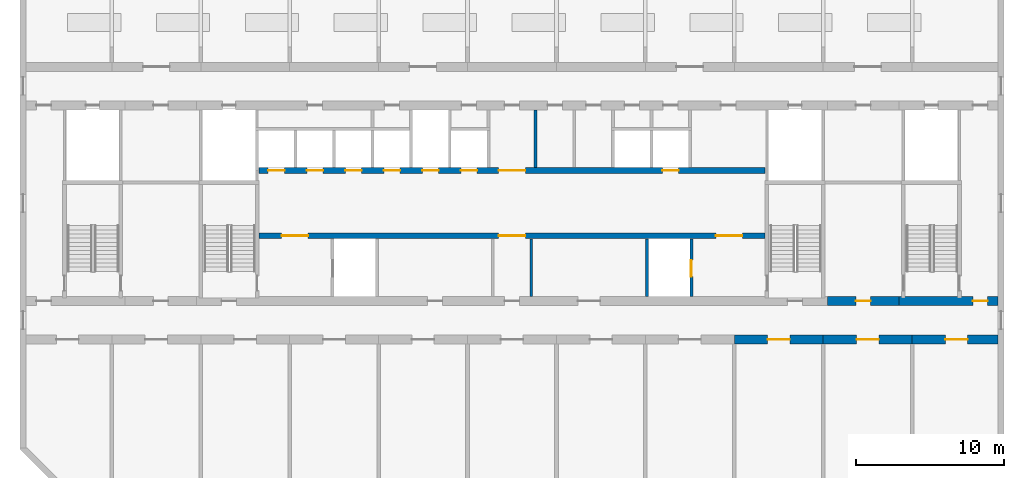
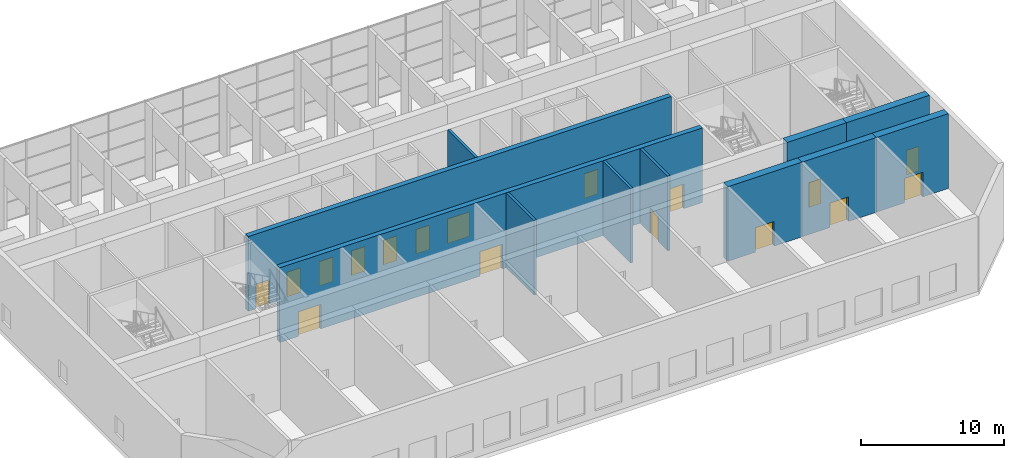
# One storey, part 8 of 13: 17 doors, 11 walls, 17 openings.
"""IFC4 building model written with IfcOpenShell, lengths in metres."""

from ifc_helpers import new_model, si_unit, direction, frame, frame_2d, origin, place, context, subcontext, project, spatial, rectangle, extrude, material, layer, layer_set, type_object, element, fill, save


model = new_model("IFC4")

# Units and contexts
model_context = context("Model", 3, precision=1e-05, world=origin(), true_north=direction((0.0, 1.0)))
body_context = subcontext(model_context, "Body", "Model", "MODEL_VIEW")
ifc_project = project(units=[si_unit("LENGTHUNIT", "METRE"), si_unit("AREAUNIT", "SQUARE_METRE"), si_unit("VOLUMEUNIT", "CUBIC_METRE"), si_unit("PLANEANGLEUNIT", "RADIAN"), si_unit("MASSUNIT", "GRAM", prefix="KILO")], contexts=[model_context])

# Site, building, storey
site_placement = place(None, origin())
site = spatial("IfcSite", under=ifc_project, at=site_placement, CompositionType="ELEMENT")
building_placement = place(site_placement, origin())
building = spatial("IfcBuilding", under=site, at=building_placement, Name="Poui Terraces", CompositionType="ELEMENT")
storey_placement = place(building_placement, frame((0.0, 0.0, 214.800048828125)))
storey = spatial("IfcBuildingStorey", under=building, at=storey_placement, Name="L60", CompositionType="ELEMENT", Elevation=214.800048828125)

# Wall, opening, door
ifc_material_1 = material(Name="Concrete 50 MPa", Category="concrete")
ifc_layer_1 = layer(ifc_material_1, 0.60009765625)
ifc_layer_set_1 = layer_set([ifc_layer_1], Name="Concrete 50 MPa")
wall_type_1 = type_object("IfcWallType", Name="BELT WALL 600 50MPa", PredefinedType="SHEAR", material=ifc_layer_set_1)
wall_1_placement = place(storey_placement, frame((66.0, 12.0, 0.0), z_axis=(0.0, 0.0, 1.0), x_axis=(1.0, 0.0, 0.0)))
wall_1 = element("IfcWall", 1, at=wall_1_placement, inside=storey, type_object=wall_type_1, Name="BELT WALL LINE B BAY 9", PredefinedType="SHEAR", context=body_context, shape_type="SweptSolid", body=[
    extrude(rectangle(XDim=6.0, YDim=0.60009765625, at=frame_2d((3.0, 0.0))), origin(), (0.0, 0.0, 1.0), 6.3798828125),
])
opening_1_placement = place(wall_1_placement, frame((2.25, 0.0, 0.0)))
opening_1 = element("IfcOpeningElement", 2, at=opening_1_placement, cuts=wall_1, Name="Opening FDP", PredefinedType="OPENING", context=body_context, shape_type="SweptSolid", body=[
    extrude(rectangle(XDim=1.5, YDim=2.10009765625, at=frame_2d((0.75, 1.050048828125))), frame((0.0, 0.31005859375, 0.0), z_axis=(0.0, -1.0, 0.0), x_axis=(1.0, 0.0, 0.0)), (0.0, 0.0, 1.0), 0.6201171875),
])
ifc_material_2 = material(Name="Steel fire door", Category="steel")
door_type_1 = type_object("IfcDoorType", Name="PLANT ROOM DOOR PAIR 1500 X 2100", OperationType="DOUBLE_DOOR_SINGLE_SWING", PredefinedType="DOOR", material=ifc_material_2)
door_1_placement = place(opening_1_placement, origin())
door_1 = element("IfcDoor", 3, at=door_1_placement, inside=storey, type_object=door_type_1, Name="PLANT ROOM DOOR PAIR 036", OperationType="DOUBLE_DOOR_SINGLE_SWING", OverallHeight=2.10009765625, OverallWidth=1.5, PredefinedType="DOOR", context=body_context, shape_type="SweptSolid", body=[
    extrude(rectangle(XDim=1.5, YDim=2.10009765625, at=frame_2d((0.75, 1.050048828125))), frame((0.0, 0.02490234375, 0.0), z_axis=(0.0, -1.0, 0.0), x_axis=(1.0, 0.0, 0.0)), (0.0, 0.0, 1.0), 0.050048828125),
])
fill(opening_1, door_1)

wall_2_placement = place(storey_placement, frame((72.0, 12.0, 0.0), z_axis=(0.0, 0.0, 1.0), x_axis=(1.0, 0.0, 0.0)))
wall_2 = element("IfcWall", 4, at=wall_2_placement, inside=storey, type_object=wall_type_1, Name="BELT WALL LINE B BAY 10", PredefinedType="SHEAR", context=body_context, shape_type="SweptSolid", body=[
    extrude(rectangle(XDim=6.0, YDim=0.60009765625, at=frame_2d((3.0, 0.0))), origin(), (0.0, 0.0, 1.0), 6.3798828125),
])
opening_2_placement = place(wall_2_placement, frame((2.25, 0.0, 0.0)))
opening_2 = element("IfcOpeningElement", 5, at=opening_2_placement, cuts=wall_2, Name="Opening FDP", PredefinedType="OPENING", context=body_context, shape_type="SweptSolid", body=[
    extrude(rectangle(XDim=1.5, YDim=2.10009765625, at=frame_2d((0.75, 1.050048828125))), frame((0.0, 0.31005859375, 0.0), z_axis=(0.0, -1.0, 0.0), x_axis=(1.0, 0.0, 0.0)), (0.0, 0.0, 1.0), 0.6201171875),
])
door_2_placement = place(opening_2_placement, origin())
door_2 = element("IfcDoor", 6, at=door_2_placement, inside=storey, type_object=door_type_1, Name="PLANT ROOM DOOR PAIR 039", OperationType="DOUBLE_DOOR_SINGLE_SWING", OverallHeight=2.10009765625, OverallWidth=1.5, PredefinedType="DOOR", context=body_context, shape_type="SweptSolid", body=[
    extrude(rectangle(XDim=1.5, YDim=2.10009765625, at=frame_2d((0.75, 1.050048828125))), frame((0.0, 0.02490234375, 0.0), z_axis=(0.0, -1.0, 0.0), x_axis=(1.0, 0.0, 0.0)), (0.0, 0.0, 1.0), 0.050048828125),
])
fill(opening_2, door_2)

wall_3_placement = place(storey_placement, frame((78.0, 12.0, 0.0), z_axis=(0.0, 0.0, 1.0), x_axis=(1.0, 0.0, 0.0)))
wall_3 = element("IfcWall", 7, at=wall_3_placement, inside=storey, type_object=wall_type_1, Name="BELT WALL LINE B BAY 11", PredefinedType="SHEAR", context=body_context, shape_type="SweptSolid", body=[
    extrude(rectangle(XDim=5.800048828125, YDim=0.60009765625, at=frame_2d((2.89990234375, 0.0))), origin(), (0.0, 0.0, 1.0), 6.3798828125),
])
opening_3_placement = place(wall_3_placement, frame((2.25, 0.0, 0.0)))
opening_3 = element("IfcOpeningElement", 8, at=opening_3_placement, cuts=wall_3, Name="Opening FDP", PredefinedType="OPENING", context=body_context, shape_type="SweptSolid", body=[
    extrude(rectangle(XDim=1.5, YDim=2.10009765625, at=frame_2d((0.75, 1.050048828125))), frame((0.0, 0.31005859375, 0.0), z_axis=(0.0, -1.0, 0.0), x_axis=(1.0, 0.0, 0.0)), (0.0, 0.0, 1.0), 0.6201171875),
])
door_3_placement = place(opening_3_placement, origin())
door_3 = element("IfcDoor", 9, at=door_3_placement, inside=storey, type_object=door_type_1, Name="PLANT ROOM DOOR PAIR 040", OperationType="DOUBLE_DOOR_SINGLE_SWING", OverallHeight=2.10009765625, OverallWidth=1.5, PredefinedType="DOOR", context=body_context, shape_type="SweptSolid", body=[
    extrude(rectangle(XDim=1.5, YDim=2.10009765625, at=frame_2d((0.75, 1.050048828125))), frame((0.0, 0.02490234375, 0.0), z_axis=(0.0, -1.0, 0.0), x_axis=(1.0, 0.0, 0.0)), (0.0, 0.0, 1.0), 0.050048828125),
])
fill(opening_3, door_3)

# Wall, openings, doors
ifc_layer_2 = layer(ifc_material_1, 0.39990234375)
ifc_layer_set_2 = layer_set([ifc_layer_2], Name="Concrete 50 MPa")
wall_type_2 = type_object("IfcWallType", Name="CORE WALL 400 50 MPA", PredefinedType="SOLIDWALL", material=ifc_layer_set_2)
wall_4_placement = place(storey_placement, frame((33.925048828125, 19.0, 0.0), z_axis=(0.0, 0.0, 1.0), x_axis=(1.0, 0.0, 0.0)))
wall_4 = element("IfcWall", 10, at=wall_4_placement, inside=storey, type_object=wall_type_2, Name="CORE WALL", PredefinedType="SOLIDWALL", context=body_context, shape_type="SweptSolid", body=[
    extrude(rectangle(XDim=34.14990234375, YDim=0.39990234375, at=frame_2d((17.074951171875, 0.0))), origin(), (0.0, 0.0, 1.0), 6.3798828125),
])
opening_4_placement = place(wall_4_placement, frame((16.175048828125, 0.0, 0.0)))
opening_4 = element("IfcOpeningElement", 11, at=opening_4_placement, cuts=wall_4, Name="Opening FDD60", PredefinedType="OPENING", context=body_context, shape_type="SweptSolid", body=[
    extrude(rectangle(XDim=1.800048828125, YDim=2.10009765625, at=frame_2d((0.89990234375, 1.050048828125))), frame((0.0, 0.2099609375, 0.0), z_axis=(0.0, -1.0, 0.0), x_axis=(1.0, 0.0, 0.0)), (0.0, 0.0, 1.0), 0.419921875),
])
opening_5_placement = place(wall_4_placement, frame((1.52490234375, 0.0, 0.0)))
opening_5 = element("IfcOpeningElement", 12, at=opening_5_placement, cuts=wall_4, Name="Opening FDD60", PredefinedType="OPENING", context=body_context, shape_type="SweptSolid", body=[
    extrude(rectangle(XDim=1.800048828125, YDim=2.10009765625, at=frame_2d((0.89990234375, 1.050048828125))), frame((0.0, 0.2099609375, 0.0), z_axis=(0.0, -1.0, 0.0), x_axis=(1.0, 0.0, 0.0)), (0.0, 0.0, 1.0), 0.419921875),
])
opening_6_placement = place(wall_4_placement, frame((30.824951171875, 0.0, 0.0)))
opening_6 = element("IfcOpeningElement", 13, at=opening_6_placement, cuts=wall_4, Name="Opening FDD60", PredefinedType="OPENING", context=body_context, shape_type="SweptSolid", body=[
    extrude(rectangle(XDim=1.800048828125, YDim=2.10009765625, at=frame_2d((0.89990234375, 1.050048828125))), frame((0.0, 0.2099609375, 0.0), z_axis=(0.0, -1.0, 0.0), x_axis=(1.0, 0.0, 0.0)), (0.0, 0.0, 1.0), 0.419921875),
])
door_type_2 = type_object("IfcDoorType", Name="DOUBLE LOBBY FIRE DOOR 1800 X 2100", OperationType="DOUBLE_DOOR_SINGLE_SWING", PredefinedType="DOOR", material=ifc_material_2)
door_4_placement = place(opening_4_placement, frame((1.800048828125, 0.0, 0.0), z_axis=(0.0, 0.0, 1.0), x_axis=(-1.0, 0.0, 0.0)))
door_4 = element("IfcDoor", 14, at=door_4_placement, inside=storey, type_object=door_type_2, Name="DOUBLE LOBBY FIRE DOOR 047", OperationType="DOUBLE_DOOR_SINGLE_SWING", OverallHeight=2.10009765625, OverallWidth=1.800048828125, PredefinedType="DOOR", context=body_context, shape_type="SweptSolid", body=[
    extrude(rectangle(XDim=1.800048828125, YDim=2.10009765625, at=frame_2d((0.89990234375, 1.050048828125))), frame((0.0, 0.02490234375, 0.0), z_axis=(0.0, -1.0, 0.0), x_axis=(1.0, 0.0, 0.0)), (0.0, 0.0, 1.0), 0.050048828125),
])
fill(opening_4, door_4)
door_5_placement = place(opening_5_placement, origin())
door_5 = element("IfcDoor", 15, at=door_5_placement, inside=storey, type_object=door_type_2, Name="DOUBLE LOBBY FIRE DOOR 049", OperationType="DOUBLE_DOOR_SINGLE_SWING", OverallHeight=2.10009765625, OverallWidth=1.800048828125, PredefinedType="DOOR", context=body_context, shape_type="SweptSolid", body=[
    extrude(rectangle(XDim=1.800048828125, YDim=2.10009765625, at=frame_2d((0.89990234375, 1.050048828125))), frame((0.0, 0.02490234375, 0.0), z_axis=(0.0, -1.0, 0.0), x_axis=(1.0, 0.0, 0.0)), (0.0, 0.0, 1.0), 0.050048828125),
])
fill(opening_5, door_5)
door_6_placement = place(opening_6_placement, origin())
door_6 = element("IfcDoor", 16, at=door_6_placement, inside=storey, type_object=door_type_2, Name="DOUBLE LOBBY FIRE DOOR 056", OperationType="DOUBLE_DOOR_SINGLE_SWING", OverallHeight=2.10009765625, OverallWidth=1.800048828125, PredefinedType="DOOR", context=body_context, shape_type="SweptSolid", body=[
    extrude(rectangle(XDim=1.800048828125, YDim=2.10009765625, at=frame_2d((0.89990234375, 1.050048828125))), frame((0.0, 0.02490234375, 0.0), z_axis=(0.0, -1.0, 0.0), x_axis=(1.0, 0.0, 0.0)), (0.0, 0.0, 1.0), 0.050048828125),
])
fill(opening_6, door_6)

wall_5_placement = place(storey_placement, frame((33.925048828125, 23.39990234375, 0.0), z_axis=(0.0, 0.0, 1.0), x_axis=(1.0, 0.0, 0.0)))
wall_5 = element("IfcWall", 17, at=wall_5_placement, inside=storey, type_object=wall_type_2, Name="CORE WALL", PredefinedType="SOLIDWALL", context=body_context, shape_type="SweptSolid", body=[
    extrude(rectangle(XDim=34.14990234375, YDim=0.39990234375, at=frame_2d((17.074951171875, 0.0))), origin(), (0.0, 0.0, 1.0), 6.3798828125),
])
opening_7_placement = place(wall_5_placement, frame((16.175048828125, 0.0, 0.0)))
opening_7 = element("IfcOpeningElement", 18, at=opening_7_placement, cuts=wall_5, Name="Opening FDD60", PredefinedType="OPENING", context=body_context, shape_type="SweptSolid", body=[
    extrude(rectangle(XDim=1.800048828125, YDim=2.10009765625, at=frame_2d((0.89990234375, 1.050048828125))), frame((0.0, 0.2099609375, 0.0), z_axis=(0.0, -1.0, 0.0), x_axis=(1.0, 0.0, 0.0)), (0.0, 0.0, 1.0), 0.419921875),
])
opening_8_placement = place(wall_5_placement, frame((0.625, 0.0, 0.0)))
opening_8 = element("IfcOpeningElement", 19, at=opening_8_placement, cuts=wall_5, Name="Opening LD", PredefinedType="OPENING", context=body_context, shape_type="SweptSolid", body=[
    extrude(rectangle(XDim=1.10009765625, YDim=2.10009765625, at=frame_2d((0.550048828125, 1.050048828125))), frame((0.0, 0.2099609375, 0.0), z_axis=(0.0, -1.0, 0.0), x_axis=(1.0, 0.0, 0.0)), (0.0, 0.0, 1.0), 0.419921875),
])
opening_9_placement = place(wall_5_placement, frame((3.22509765625, 0.0, 0.0)))
opening_9 = element("IfcOpeningElement", 20, at=opening_9_placement, cuts=wall_5, Name="Opening LD", PredefinedType="OPENING", context=body_context, shape_type="SweptSolid", body=[
    extrude(rectangle(XDim=1.10009765625, YDim=2.10009765625, at=frame_2d((0.550048828125, 1.050048828125))), frame((0.0, 0.2099609375, 0.0), z_axis=(0.0, -1.0, 0.0), x_axis=(1.0, 0.0, 0.0)), (0.0, 0.0, 1.0), 0.419921875),
])
opening_10_placement = place(wall_5_placement, frame((5.824951171875, 0.0, 0.0)))
opening_10 = element("IfcOpeningElement", 21, at=opening_10_placement, cuts=wall_5, Name="Opening LD", PredefinedType="OPENING", context=body_context, shape_type="SweptSolid", body=[
    extrude(rectangle(XDim=1.10009765625, YDim=2.10009765625, at=frame_2d((0.550048828125, 1.050048828125))), frame((0.0, 0.2099609375, 0.0), z_axis=(0.0, -1.0, 0.0), x_axis=(1.0, 0.0, 0.0)), (0.0, 0.0, 1.0), 0.419921875),
])
opening_11_placement = place(wall_5_placement, frame((8.425048828125, 0.0, 0.0)))
opening_11 = element("IfcOpeningElement", 22, at=opening_11_placement, cuts=wall_5, Name="Opening LD", PredefinedType="OPENING", context=body_context, shape_type="SweptSolid", body=[
    extrude(rectangle(XDim=1.10009765625, YDim=2.10009765625, at=frame_2d((0.550048828125, 1.050048828125))), frame((0.0, 0.2099609375, 0.0), z_axis=(0.0, -1.0, 0.0), x_axis=(1.0, 0.0, 0.0)), (0.0, 0.0, 1.0), 0.419921875),
])
opening_12_placement = place(wall_5_placement, frame((11.02490234375, 0.0, 0.0)))
opening_12 = element("IfcOpeningElement", 23, at=opening_12_placement, cuts=wall_5, Name="Opening LD", PredefinedType="OPENING", context=body_context, shape_type="SweptSolid", body=[
    extrude(rectangle(XDim=1.10009765625, YDim=2.10009765625, at=frame_2d((0.550048828125, 1.050048828125))), frame((0.0, 0.2099609375, 0.0), z_axis=(0.0, -1.0, 0.0), x_axis=(1.0, 0.0, 0.0)), (0.0, 0.0, 1.0), 0.419921875),
])
opening_13_placement = place(wall_5_placement, frame((13.625, 0.0, 0.0)))
opening_13 = element("IfcOpeningElement", 24, at=opening_13_placement, cuts=wall_5, Name="Opening LD", PredefinedType="OPENING", context=body_context, shape_type="SweptSolid", body=[
    extrude(rectangle(XDim=1.10009765625, YDim=2.10009765625, at=frame_2d((0.550048828125, 1.050048828125))), frame((0.0, 0.2099609375, 0.0), z_axis=(0.0, -1.0, 0.0), x_axis=(1.0, 0.0, 0.0)), (0.0, 0.0, 1.0), 0.419921875),
])
opening_14_placement = place(wall_5_placement, frame((27.22509765625, 0.0, 0.0)))
opening_14 = element("IfcOpeningElement", 25, at=opening_14_placement, cuts=wall_5, Name="Opening LD", PredefinedType="OPENING", context=body_context, shape_type="SweptSolid", body=[
    extrude(rectangle(XDim=1.10009765625, YDim=2.10009765625, at=frame_2d((0.550048828125, 1.050048828125))), frame((0.0, 0.2099609375, 0.0), z_axis=(0.0, -1.0, 0.0), x_axis=(1.0, 0.0, 0.0)), (0.0, 0.0, 1.0), 0.419921875),
])
door_7_placement = place(opening_7_placement, origin())
door_7 = element("IfcDoor", 26, at=door_7_placement, inside=storey, type_object=door_type_2, Name="DOUBLE LOBBY FIRE DOOR 046", OperationType="DOUBLE_DOOR_SINGLE_SWING", OverallHeight=2.10009765625, OverallWidth=1.800048828125, PredefinedType="DOOR", context=body_context, shape_type="SweptSolid", body=[
    extrude(rectangle(XDim=1.800048828125, YDim=2.10009765625, at=frame_2d((0.89990234375, 1.050048828125))), frame((0.0, 0.02490234375, 0.0), z_axis=(0.0, -1.0, 0.0), x_axis=(1.0, 0.0, 0.0)), (0.0, 0.0, 1.0), 0.050048828125),
])
fill(opening_7, door_7)
ifc_material_3 = material(Name="Stainless steel sliding door", Category="steel")
door_type_3 = type_object("IfcDoorType", Name="LIFT LANDING DOOR 1100 X 2100", OperationType="DOUBLE_DOOR_SLIDING", PredefinedType="DOOR", material=ifc_material_3)
door_8_placement = place(opening_8_placement, origin())
door_8 = element("IfcDoor", 27, at=door_8_placement, inside=storey, type_object=door_type_3, Name="LANDING DOOR", OperationType="DOUBLE_DOOR_SLIDING", OverallHeight=2.10009765625, OverallWidth=1.10009765625, PredefinedType="DOOR", context=body_context, shape_type="SweptSolid", body=[
    extrude(rectangle(XDim=1.10009765625, YDim=2.10009765625, at=frame_2d((0.550048828125, 1.050048828125))), frame((0.0, 0.02490234375, 0.0), z_axis=(0.0, -1.0, 0.0), x_axis=(1.0, 0.0, 0.0)), (0.0, 0.0, 1.0), 0.050048828125),
])
fill(opening_8, door_8)
door_9_placement = place(opening_9_placement, origin())
door_9 = element("IfcDoor", 28, at=door_9_placement, inside=storey, type_object=door_type_3, Name="LANDING DOOR", OperationType="DOUBLE_DOOR_SLIDING", OverallHeight=2.10009765625, OverallWidth=1.10009765625, PredefinedType="DOOR", context=body_context, shape_type="SweptSolid", body=[
    extrude(rectangle(XDim=1.10009765625, YDim=2.10009765625, at=frame_2d((0.550048828125, 1.050048828125))), frame((0.0, 0.02490234375, 0.0), z_axis=(0.0, -1.0, 0.0), x_axis=(1.0, 0.0, 0.0)), (0.0, 0.0, 1.0), 0.050048828125),
])
fill(opening_9, door_9)
door_10_placement = place(opening_10_placement, origin())
door_10 = element("IfcDoor", 29, at=door_10_placement, inside=storey, type_object=door_type_3, Name="LANDING DOOR", OperationType="DOUBLE_DOOR_SLIDING", OverallHeight=2.10009765625, OverallWidth=1.10009765625, PredefinedType="DOOR", context=body_context, shape_type="SweptSolid", body=[
    extrude(rectangle(XDim=1.10009765625, YDim=2.10009765625, at=frame_2d((0.550048828125, 1.050048828125))), frame((0.0, 0.02490234375, 0.0), z_axis=(0.0, -1.0, 0.0), x_axis=(1.0, 0.0, 0.0)), (0.0, 0.0, 1.0), 0.050048828125),
])
fill(opening_10, door_10)
door_11_placement = place(opening_11_placement, origin())
door_11 = element("IfcDoor", 30, at=door_11_placement, inside=storey, type_object=door_type_3, Name="LANDING DOOR", OperationType="DOUBLE_DOOR_SLIDING", OverallHeight=2.10009765625, OverallWidth=1.10009765625, PredefinedType="DOOR", context=body_context, shape_type="SweptSolid", body=[
    extrude(rectangle(XDim=1.10009765625, YDim=2.10009765625, at=frame_2d((0.550048828125, 1.050048828125))), frame((0.0, 0.02490234375, 0.0), z_axis=(0.0, -1.0, 0.0), x_axis=(1.0, 0.0, 0.0)), (0.0, 0.0, 1.0), 0.050048828125),
])
fill(opening_11, door_11)
door_12_placement = place(opening_12_placement, origin())
door_12 = element("IfcDoor", 31, at=door_12_placement, inside=storey, type_object=door_type_3, Name="LANDING DOOR", OperationType="DOUBLE_DOOR_SLIDING", OverallHeight=2.10009765625, OverallWidth=1.10009765625, PredefinedType="DOOR", context=body_context, shape_type="SweptSolid", body=[
    extrude(rectangle(XDim=1.10009765625, YDim=2.10009765625, at=frame_2d((0.550048828125, 1.050048828125))), frame((0.0, 0.02490234375, 0.0), z_axis=(0.0, -1.0, 0.0), x_axis=(1.0, 0.0, 0.0)), (0.0, 0.0, 1.0), 0.050048828125),
])
fill(opening_12, door_12)
door_13_placement = place(opening_13_placement, origin())
door_13 = element("IfcDoor", 32, at=door_13_placement, inside=storey, type_object=door_type_3, Name="LANDING DOOR", OperationType="DOUBLE_DOOR_SLIDING", OverallHeight=2.10009765625, OverallWidth=1.10009765625, PredefinedType="DOOR", context=body_context, shape_type="SweptSolid", body=[
    extrude(rectangle(XDim=1.10009765625, YDim=2.10009765625, at=frame_2d((0.550048828125, 1.050048828125))), frame((0.0, 0.02490234375, 0.0), z_axis=(0.0, -1.0, 0.0), x_axis=(1.0, 0.0, 0.0)), (0.0, 0.0, 1.0), 0.050048828125),
])
fill(opening_13, door_13)
door_14_placement = place(opening_14_placement, origin())
door_14 = element("IfcDoor", 33, at=door_14_placement, inside=storey, type_object=door_type_3, Name="LANDING DOOR", OperationType="DOUBLE_DOOR_SLIDING", OverallHeight=2.10009765625, OverallWidth=1.10009765625, PredefinedType="DOOR", context=body_context, shape_type="SweptSolid", body=[
    extrude(rectangle(XDim=1.10009765625, YDim=2.10009765625, at=frame_2d((0.550048828125, 1.050048828125))), frame((0.0, 0.02490234375, 0.0), z_axis=(0.0, -1.0, 0.0), x_axis=(1.0, 0.0, 0.0)), (0.0, 0.0, 1.0), 0.050048828125),
])
fill(opening_14, door_14)

# Wall, opening, door
ifc_layer_3 = layer(ifc_material_1, 0.60009765625)
ifc_layer_set_3 = layer_set([ifc_layer_3], Name="Concrete 50 MPa")
wall_type_3 = type_object("IfcWallType", Name="OUTRIGGER WALL 600 50MPa", PredefinedType="SHEAR", material=ifc_layer_set_3)
wall_6_placement = place(storey_placement, frame((72.300048828125, 14.60009765625, 0.0), z_axis=(0.0, 0.0, 1.0), x_axis=(1.0, 0.0, 0.0)))
wall_6 = element("IfcWall", 34, at=wall_6_placement, inside=storey, type_object=wall_type_3, Name="OUTRIGGER WALL LINE C E2", PredefinedType="SHEAR", context=body_context, shape_type="SweptSolid", body=[
    extrude(rectangle(XDim=4.800048828125, YDim=0.60009765625, at=frame_2d((2.39990234375, 0.0))), origin(), (0.0, 0.0, 1.0), 6.3798828125),
])
opening_15_placement = place(wall_6_placement, frame((1.89990234375, 0.0, 0.0)))
opening_15 = element("IfcOpeningElement", 35, at=opening_15_placement, cuts=wall_6, Name="Opening FDRF", PredefinedType="OPENING", context=body_context, shape_type="SweptSolid", body=[
    extrude(rectangle(XDim=1.0, YDim=2.10009765625, at=frame_2d((0.5, 1.050048828125))), frame((0.0, 0.31005859375, 0.0), z_axis=(0.0, -1.0, 0.0), x_axis=(1.0, 0.0, 0.0)), (0.0, 0.0, 1.0), 0.6201171875),
])
door_type_4 = type_object("IfcDoorType", Name="REFUGE AREA DOOR 1000 X 2100", OperationType="NOTDEFINED", PredefinedType="DOOR", material=ifc_material_2)
door_15_placement = place(opening_15_placement, frame((1.0, 0.0, 0.0), z_axis=(0.0, 0.0, 1.0), x_axis=(-1.0, 0.0, 0.0)))
door_15 = element("IfcDoor", 36, at=door_15_placement, inside=storey, type_object=door_type_4, Name="REFUGE AREA DOOR 038", OperationType="SINGLE_SWING_RIGHT", OverallHeight=2.10009765625, OverallWidth=1.0, PredefinedType="DOOR", context=body_context, shape_type="SweptSolid", body=[
    extrude(rectangle(XDim=1.0, YDim=2.10009765625, at=frame_2d((0.5, 1.050048828125))), frame((0.0, 0.02490234375, 0.0), z_axis=(0.0, -1.0, 0.0), x_axis=(1.0, 0.0, 0.0)), (0.0, 0.0, 1.0), 0.050048828125),
])
fill(opening_15, door_15)

# Walls
ifc_material_4 = material(Name="Fire-rated masonry wall", Category="masonry")
ifc_layer_4 = layer(ifc_material_4, 0.199951171875)
ifc_layer_set_4 = layer_set([ifc_layer_4], Name="Fire-rated masonry wall")
wall_type_4 = type_object("IfcWallType", Name="PLANT ROOM WALL 200", PredefinedType="PARTITIONING", material=ifc_layer_set_4)
wall_7_placement = place(storey_placement, frame((52.300048828125, 14.909912109375, 0.0), z_axis=(0.0, 0.0, 1.0), x_axis=(0.0, 1.0, 0.0)))
element("IfcWall", 37, at=wall_7_placement, inside=storey, type_object=wall_type_4, Name="PLANT ROOM WALL 200", PredefinedType="PARTITIONING", context=body_context, shape_type="SweptSolid", body=[
    extrude(rectangle(XDim=3.880126953125, YDim=0.199951171875, at=frame_2d((1.93994140625, 0.0))), origin(), (0.0, 0.0, 1.0), 6.3798828125),
])
wall_8_placement = place(storey_placement, frame((52.60009765625, 23.610107421875, 0.0), z_axis=(0.0, 0.0, 1.0), x_axis=(0.0, 1.0, 0.0)))
element("IfcWall", 38, at=wall_8_placement, inside=storey, type_object=wall_type_4, Name="PLANT ROOM WALL 200", PredefinedType="PARTITIONING", context=body_context, shape_type="SweptSolid", body=[
    extrude(rectangle(XDim=3.8798828125, YDim=0.199951171875, at=frame_2d((1.93994140625, 0.0))), origin(), (0.0, 0.0, 1.0), 6.3798828125),
])
ifc_material_5 = material(Name="Fire-rated masonry shaft wall", Category="masonry")
ifc_layer_5 = layer(ifc_material_5, 0.199951171875)
ifc_layer_set_5 = layer_set([ifc_layer_5], Name="Fire-rated masonry shaft wall")
wall_type_5 = type_object("IfcWallType", Name="SHAFT WALL 200", PredefinedType="PARTITIONING", material=ifc_layer_set_5)
wall_9_placement = place(storey_placement, frame((60.10009765625, 14.909912109375, 0.0), z_axis=(0.0, 0.0, 1.0), x_axis=(0.0, 1.0, 0.0)))
element("IfcWall", 39, at=wall_9_placement, inside=storey, type_object=wall_type_5, Name="SHAFT WALL 200", PredefinedType="PARTITIONING", context=body_context, shape_type="SweptSolid", body=[
    extrude(rectangle(XDim=3.880126953125, YDim=0.199951171875, at=frame_2d((1.93994140625, 0.0))), origin(), (0.0, 0.0, 1.0), 6.3798828125),
])

# Wall, opening, door
wall_10_placement = place(storey_placement, frame((63.10009765625, 14.909912109375, 0.0), z_axis=(0.0, 0.0, 1.0), x_axis=(0.0, 1.0, 0.0)))
wall_10 = element("IfcWall", 40, at=wall_10_placement, inside=storey, type_object=wall_type_5, Name="SHAFT WALL 200", PredefinedType="PARTITIONING", context=body_context, shape_type="SweptSolid", body=[
    extrude(rectangle(XDim=3.880126953125, YDim=0.199951171875, at=frame_2d((1.93994140625, 0.0))), origin(), (0.0, 0.0, 1.0), 6.3798828125),
])
opening_16_placement = place(wall_10_placement, frame((1.340087890625, 0.0, 0.0)))
opening_16 = element("IfcOpeningElement", 41, at=opening_16_placement, cuts=wall_10, Name="Opening LD", PredefinedType="OPENING", context=body_context, shape_type="SweptSolid", body=[
    extrude(rectangle(XDim=1.10009765625, YDim=2.10009765625, at=frame_2d((0.550048828125, 1.050048828125))), frame((0.0, 0.10986328125, 0.0), z_axis=(0.0, -1.0, 0.0), x_axis=(1.0, 0.0, 0.0)), (0.0, 0.0, 1.0), 0.219970703125),
])
door_16_placement = place(opening_16_placement, origin())
door_16 = element("IfcDoor", 42, at=door_16_placement, inside=storey, type_object=door_type_3, Name="LANDING DOOR", OperationType="DOUBLE_DOOR_SLIDING", OverallHeight=2.10009765625, OverallWidth=1.10009765625, PredefinedType="DOOR", context=body_context, shape_type="SweptSolid", body=[
    extrude(rectangle(XDim=1.10009765625, YDim=2.10009765625, at=frame_2d((0.550048828125, 1.050048828125))), frame((0.0, 0.02490234375, 0.0), z_axis=(0.0, -1.0, 0.0), x_axis=(1.0, 0.0, 0.0)), (0.0, 0.0, 1.0), 0.050048828125),
])
fill(opening_16, door_16)

ifc_layer_6 = layer(ifc_material_1, 0.60009765625)
ifc_layer_set_6 = layer_set([ifc_layer_6], Name="Concrete 50 MPa")
wall_type_6 = type_object("IfcWallType", Name="SPINE WALL 600 50 MPA", PredefinedType="SOLIDWALL", material=ifc_layer_set_6)
wall_11_placement = place(storey_placement, frame((77.10009765625, 14.60009765625, 0.0), z_axis=(0.0, 0.0, 1.0), x_axis=(1.0, 0.0, 0.0)))
wall_11 = element("IfcWall", 43, at=wall_11_placement, inside=storey, type_object=wall_type_6, Name="SPINE WALL", PredefinedType="SOLIDWALL", context=body_context, shape_type="SweptSolid", body=[
    extrude(rectangle(XDim=6.699951171875, YDim=0.60009765625, at=frame_2d((3.35009765625, 0.0))), origin(), (0.0, 0.0, 1.0), 6.3798828125),
])
opening_17_placement = place(wall_11_placement, frame((5.0, 0.0, 0.0)))
opening_17 = element("IfcOpeningElement", 44, at=opening_17_placement, cuts=wall_11, Name="Opening FDL", PredefinedType="OPENING", context=body_context, shape_type="SweptSolid", body=[
    extrude(rectangle(XDim=1.0, YDim=2.10009765625, at=frame_2d((0.5, 1.050048828125))), frame((0.0, 0.31005859375, 0.0), z_axis=(0.0, -1.0, 0.0), x_axis=(1.0, 0.0, 0.0)), (0.0, 0.0, 1.0), 0.6201171875),
])
door_type_5 = type_object("IfcDoorType", Name="LOBBY FIRE DOOR 1000 X 2100", OperationType="NOTDEFINED", PredefinedType="DOOR", material=ifc_material_2)
door_17_placement = place(opening_17_placement, frame((1.0, 0.0, 0.0), z_axis=(0.0, 0.0, 1.0), x_axis=(-1.0, 0.0, 0.0)))
door_17 = element("IfcDoor", 45, at=door_17_placement, inside=storey, type_object=door_type_5, Name="LOBBY FIRE DOOR 041", OperationType="SINGLE_SWING_LEFT", OverallHeight=2.10009765625, OverallWidth=1.0, PredefinedType="DOOR", context=body_context, shape_type="SweptSolid", body=[
    extrude(rectangle(XDim=1.0, YDim=2.10009765625, at=frame_2d((0.5, 1.050048828125))), frame((0.0, 0.02490234375, 0.0), z_axis=(0.0, -1.0, 0.0), x_axis=(1.0, 0.0, 0.0)), (0.0, 0.0, 1.0), 0.050048828125),
])
fill(opening_17, door_17)

save(model, "model.ifc")
